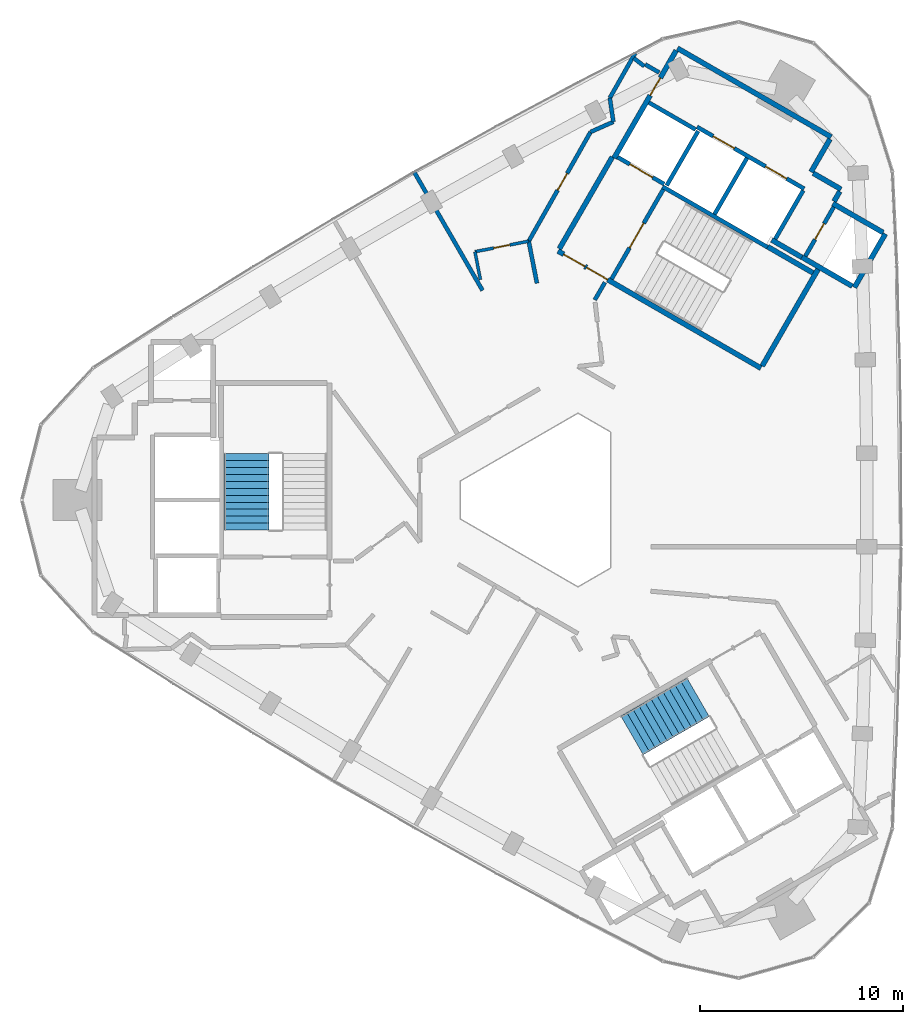
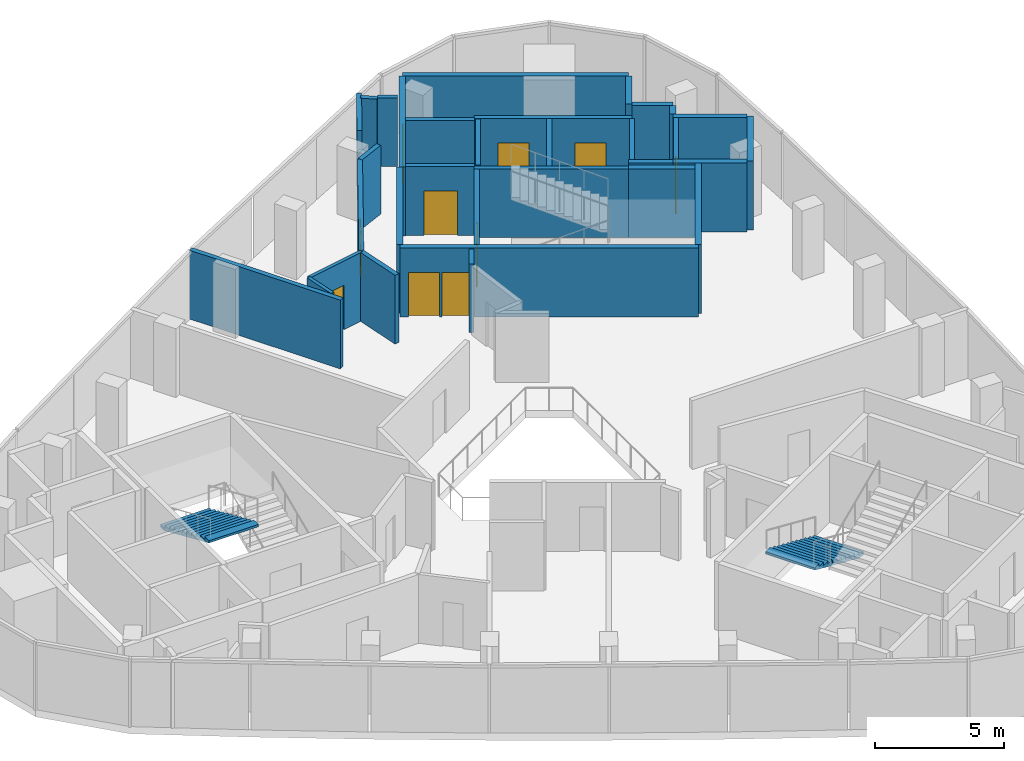
# One storey, part 8 of 10: 33 walls, 10 doors, 2 stair flights, 10 openings, 2 elements without a shape of their own.
"""IFC4 building model written with IfcOpenShell, lengths in metres."""

import ifcopenshell
import ifcopenshell.guid

model = None  # the IFC model being written
_history = None  # IfcOwnerHistory: only IFC2X3 demands one
_inside = {}  # id of a spatial element -> (the spatial element, [elements in it])
_under = {}  # id of a project, library or spatial element -> (it, [spatial elements below it])
_declared = {}  # id of a project -> (the project, [libraries it declares])
_typed = {}  # id of a type object -> (the type object, [elements of that type])
_made_of = {}  # id of a material, layer set ... -> (it, [elements and type objects made of it])


def new_model(schema):
    """Start an empty IFC model of exactly this schema.

    Asked for "IFC4X3", IfcOpenShell would pick the latest addendum, in which some entities
    have other attributes; the version numbers below select the first issue.
    IFC2X3 requires an IfcOwnerHistory on every rooted entity: one is made here for all.
    """
    global model, _history
    if schema == "IFC4X3":
        model = ifcopenshell.file(schema_version=(4, 3, 0, 0))
    else:
        model = ifcopenshell.file(schema=schema)
    _inside.clear()
    _under.clear()
    _declared.clear()
    _typed.clear()
    _made_of.clear()
    _history = None
    if model.schema == "IFC2X3":
        org = make("IfcOrganization", Name="unknown")
        user = make(
            "IfcPersonAndOrganization",
            ThePerson=make("IfcPerson", FamilyName="unknown"),
            TheOrganization=org,
        )
        app = make(
            "IfcApplication",
            ApplicationDeveloper=org,
            Version="unknown",
            ApplicationFullName="unknown",
            ApplicationIdentifier="unknown",
        )
        _history = make(
            "IfcOwnerHistory",
            OwningUser=user,
            OwningApplication=app,
            ChangeAction="ADDED",
            CreationDate=0,
        )
    return model


def make(cls, **values):
    """One entity of the class cls with the attributes given. An attribute that is None is left unset."""
    return model.create_entity(
        cls, **{name: value for name, value in values.items() if value is not None}
    )


def rooted(cls, **values):
    """An entity with a GlobalId (a new one), such as an element, a storey or a relation."""
    return make(cls, GlobalId=ifcopenshell.guid.new(), OwnerHistory=_history, **values)


def si_unit(unit_type, name, prefix=None):
    """IfcSIUnit, for example si_unit("LENGTHUNIT", "METRE", prefix="MILLI")."""
    return make("IfcSIUnit", UnitType=unit_type, Prefix=prefix, Name=name)


def assignment(units):
    """IfcUnitAssignment: the units of a project."""
    return None if units is None else make("IfcUnitAssignment", Units=units)


def point(xyz):
    """IfcCartesianPoint."""
    return None if xyz is None else make("IfcCartesianPoint", Coordinates=xyz)


def direction(xyz):
    """IfcDirection."""
    return None if xyz is None else make("IfcDirection", DirectionRatios=xyz)


def frame(location, z_axis=None, x_axis=None):
    """IfcAxis2Placement3D, a coordinate frame: its origin and axes. An axis left out is left unset."""
    return make(
        "IfcAxis2Placement3D",
        Location=point(location),
        Axis=direction(z_axis),
        RefDirection=direction(x_axis),
    )


def frame_2d(location, x_axis=None):
    """IfcAxis2Placement2D, a coordinate frame in the plane: its origin and x axis."""
    return make(
        "IfcAxis2Placement2D", Location=point(location), RefDirection=direction(x_axis)
    )


def origin():
    """The frame at (0, 0, 0) with its axes left unset."""
    return frame((0.0, 0.0, 0.0))


def place(relative_to, where):
    """IfcLocalPlacement: puts the frame where relative to a parent placement (None: the world)."""
    return make(
        "IfcLocalPlacement", PlacementRelTo=relative_to, RelativePlacement=where
    )


def context(
    kind, dimensions, precision=None, world=None, true_north=None, identifier=None
):
    """IfcGeometricRepresentationContext, for example the 3D "Model" context."""
    return make(
        "IfcGeometricRepresentationContext",
        ContextIdentifier=identifier,
        ContextType=kind,
        CoordinateSpaceDimension=dimensions,
        Precision=precision,
        WorldCoordinateSystem=world,
        TrueNorth=true_north,
    )


def subcontext(parent, identifier, kind, view, scale=None):
    """IfcGeometricRepresentationSubContext, for example "Body" below "Model"."""
    return make(
        "IfcGeometricRepresentationSubContext",
        ContextIdentifier=identifier,
        ContextType=kind,
        ParentContext=parent,
        TargetScale=scale,
        TargetView=view,
    )


def project(units=None, contexts=None):
    """IfcProject with its units and contexts."""
    return rooted(
        "IfcProject",
        Name="project",
        RepresentationContexts=contexts,
        UnitsInContext=assignment(units),
    )


def spatial(cls, under=None, at=None, **own):
    """A site, building, storey or space (cls), placed at a placement, below another one or the project."""
    s = rooted(cls, ObjectPlacement=at, **own)
    if under is not None:
        _under.setdefault(under.id(), (under, []))[1].append(s)
    return s


def polyline(points):
    """IfcPolyline through the points."""
    return make("IfcPolyline", Points=[point(p) for p in points])


def profile(cls, at=None, kind="AREA", **sizes):
    """A parametric profile (cls). Its sizes go by their IFC names, for example OverallWidth=200.0."""
    return make(cls, ProfileType=kind, Position=at, **sizes)


def rectangle(**sizes):
    """IfcRectangleProfileDef."""
    return profile("IfcRectangleProfileDef", **sizes)


def outline(outer, holes=None, kind="AREA"):
    """IfcArbitraryClosedProfileDef: a profile drawn as a closed curve; with holes, ...WithVoids."""
    if holes is None:
        return make("IfcArbitraryClosedProfileDef", ProfileType=kind, OuterCurve=outer)
    return make(
        "IfcArbitraryProfileDefWithVoids",
        ProfileType=kind,
        OuterCurve=outer,
        InnerCurves=holes,
    )


def extrude(swept, where, along, depth):
    """IfcExtrudedAreaSolid: the profile swept, set in the frame where, extruded along a direction by depth."""
    return make(
        "IfcExtrudedAreaSolid",
        SweptArea=swept,
        Position=where,
        ExtrudedDirection=direction(along),
        Depth=depth,
    )


def shape(context_of_items, identifier, shape_type, items):
    """IfcShapeRepresentation: the items that make up one representation, for example the "Body"."""
    return make(
        "IfcShapeRepresentation",
        ContextOfItems=context_of_items,
        RepresentationIdentifier=identifier,
        RepresentationType=shape_type,
        Items=items,
    )


def material(Name=None, Category=None):
    """IfcMaterial."""
    return make("IfcMaterial", Name=Name, Category=Category)


def layer(
    of_material, thickness, ventilated=None, Name=None, Category=None, Priority=None
):
    """IfcMaterialLayer: one layer of a wall or slab, of a material (None: an air gap)."""
    return make(
        "IfcMaterialLayer",
        Material=of_material,
        LayerThickness=thickness,
        IsVentilated=ventilated,
        Name=Name,
        Category=Category,
        Priority=Priority,
    )


def layer_set(layers, Name=None):
    """IfcMaterialLayerSet."""
    return make("IfcMaterialLayerSet", MaterialLayers=layers, LayerSetName=Name)


def made_of(thing, what):
    """Note that an element or type object is made of a material, layer set ...; save() writes the relation."""
    if what is not None:
        _made_of.setdefault(what.id(), (what, []))[1].append(thing)
    return thing


def type_object(cls, material=None, **own):
    """A type object (cls), such as IfcWallType, which elements share."""
    return made_of(rooted(cls, **own), material)


def element(
    cls,
    number,
    at=None,
    inside=None,
    cuts=None,
    type_object=None,
    material=None,
    context=None,
    identifier="Body",
    shape_type=None,
    held_by="IfcProductDefinitionShape",
    body=None,
    shapes=None,
    **own,
):
    """One element of the class cls, such as IfcWall. Its Tag is "e" and its number.

    at: its placement. inside: the storey or other place that contains it. cuts: it is an
    opening in that element (IfcRelVoidsElement). A single representation is given by context,
    identifier, shape_type and body (its items); several are given by shapes. held_by: the class
    of the entity that holds the representations. save() writes the other relations.
    """
    e = rooted(cls, Tag="e%d" % number, ObjectPlacement=at, **own)
    if body is not None:
        shapes = [shape(context, identifier, shape_type, body)]
    if shapes is not None:
        e.Representation = make(held_by, Representations=shapes)
    if inside is not None:
        _inside.setdefault(inside.id(), (inside, []))[1].append(e)
    if cuts is not None:
        rooted(
            "IfcRelVoidsElement", RelatingBuildingElement=cuts, RelatedOpeningElement=e
        )
    if type_object is not None:
        _typed.setdefault(type_object.id(), (type_object, []))[1].append(e)
    return made_of(e, material)


def fill(opening, filler):
    """IfcRelFillsElement: the door or window that sits in an opening."""
    return rooted(
        "IfcRelFillsElement",
        RelatingOpeningElement=opening,
        RelatedBuildingElement=filler,
    )


def aggregate(whole, parts):
    """IfcRelAggregates: a whole, such as a stair, and the parts it consists of."""
    return rooted("IfcRelAggregates", RelatingObject=whole, RelatedObjects=parts)


def save(model, path):
    """Write the relations noted so far, then the file.

    IfcRelAggregates (storeys below a building ...), IfcRelContainedInSpatialStructure (elements
    in a storey), IfcRelDefinesByType, IfcRelAssociatesMaterial and IfcRelDeclares: one each for
    every whole, place, type object, material and project.
    """
    for whole, parts in _under.values():
        aggregate(whole, parts)
    for where, things in _inside.values():
        rooted(
            "IfcRelContainedInSpatialStructure",
            RelatedElements=things,
            RelatingStructure=where,
        )
    for kind, things in _typed.values():
        rooted("IfcRelDefinesByType", RelatedObjects=things, RelatingType=kind)
    for what, things in _made_of.values():
        rooted("IfcRelAssociatesMaterial", RelatedObjects=things, RelatingMaterial=what)
    for by, libraries in _declared.values():
        rooted("IfcRelDeclares", RelatingContext=by, RelatedDefinitions=libraries)
    model.write(path)


model = new_model("IFC4")

# Units and contexts
model_context = context("Model", 3, precision=1e-05, world=origin(), true_north=direction((0.0, 1.0)))
body_context = subcontext(model_context, "Body", "Model", "MODEL_VIEW")
ifc_project = project(units=[si_unit("LENGTHUNIT", "METRE"), si_unit("AREAUNIT", "SQUARE_METRE"), si_unit("VOLUMEUNIT", "CUBIC_METRE"), si_unit("PLANEANGLEUNIT", "RADIAN"), si_unit("MASSUNIT", "GRAM", prefix="KILO")], contexts=[model_context])

# Site, building, storey
site_placement = place(None, origin())
site = spatial("IfcSite", under=ifc_project, at=site_placement, CompositionType="ELEMENT")
building_placement = place(site_placement, origin())
building = spatial("IfcBuilding", under=site, at=building_placement, Name="Tamra Quay Hotel Tower", CompositionType="ELEMENT")
storey_placement = place(building_placement, frame((0.0, 0.0, 294.60009765625)))
storey = spatial("IfcBuildingStorey", under=building, at=storey_placement, Name="L74", CompositionType="ELEMENT", Elevation=294.60009765625)

# Wall, openings, doors
ifc_material_1 = material(Name="Concrete M70", Category="concrete")
ifc_layer_1 = layer(ifc_material_1, 0.199951171875)
ifc_layer_set_1 = layer_set([ifc_layer_1], Name="Concrete M70 core wall 200")
wall_type_1 = type_object("IfcWallType", Name="Concrete M70 core wall 200", PredefinedType="SHEAR", material=ifc_layer_set_1)
wall_1_placement = place(storey_placement, frame((12.552490234375, 15.341552734375, 0.0), z_axis=(0.0, 0.0, 1.0), x_axis=(-0.866030299012, 0.499991521122, 0.0)))
wall_1 = element("IfcWall", 1, at=wall_1_placement, inside=storey, type_object=wall_type_1, Name="CW2", PredefinedType="SHEAR", context=body_context, shape_type="SweptSolid", body=[
    extrude(rectangle(XDim=6.10009765625, YDim=0.199951171875, at=frame_2d((3.050048828125, 0.0))), origin(), (0.0, 0.0, 1.0), 3.25),
])
opening_1_placement = place(wall_1_placement, frame((1.0, 0.0, 0.0)))
opening_1 = element("IfcOpeningElement", 2, at=opening_1_placement, cuts=wall_1, Name="Opening LD", PredefinedType="OPENING", context=body_context, shape_type="SweptSolid", body=[
    extrude(rectangle(XDim=1.199951171875, YDim=2.10009765625, at=frame_2d((0.60009765625, 1.050048828125))), frame((0.0, 0.10986328125, 0.0), z_axis=(0.0, -1.0, 0.0), x_axis=(1.0, 0.0, 0.0)), (0.0, 0.0, 1.0), 0.219970703125),
])
opening_2_placement = place(wall_1_placement, frame((3.982177734375, 0.0, 0.0)))
opening_2 = element("IfcOpeningElement", 3, at=opening_2_placement, cuts=wall_1, Name="Opening LD", PredefinedType="OPENING", context=body_context, shape_type="SweptSolid", body=[
    extrude(rectangle(XDim=1.199951171875, YDim=2.10009765625, at=frame_2d((0.60009765625, 1.050048828125))), frame((0.0, 0.10986328125, 0.0), z_axis=(0.0, -1.0, 0.0), x_axis=(1.0, 0.0, 0.0)), (0.0, 0.0, 1.0), 0.219970703125),
])
ifc_material_2 = material(Name="Landing door LD 1200 double door sliding")
door_type_1 = type_object("IfcDoorType", Name="Landing door LD 1200 double door sliding", OperationType="DOUBLE_DOOR_SLIDING", PredefinedType="DOOR", material=ifc_material_2)
door_1_placement = place(opening_1_placement, origin())
door_1 = element("IfcDoor", 4, at=door_1_placement, inside=storey, type_object=door_type_1, Name="LD", OperationType="DOUBLE_DOOR_SLIDING", OverallHeight=2.10009765625, OverallWidth=1.199951171875, PredefinedType="DOOR", context=body_context, shape_type="SweptSolid", body=[
    extrude(rectangle(XDim=1.199951171875, YDim=2.10009765625, at=frame_2d((0.60009765625, 1.050048828125))), frame((0.0, 0.02490234375, 0.0), z_axis=(0.0, -1.0, 0.0), x_axis=(1.0, 0.0, 0.0)), (0.0, 0.0, 1.0), 0.050048828125),
])
fill(opening_1, door_1)
door_2_placement = place(opening_2_placement, origin())
door_2 = element("IfcDoor", 5, at=door_2_placement, inside=storey, type_object=door_type_1, Name="LD", OperationType="DOUBLE_DOOR_SLIDING", OverallHeight=2.10009765625, OverallWidth=1.199951171875, PredefinedType="DOOR", context=body_context, shape_type="SweptSolid", body=[
    extrude(rectangle(XDim=1.199951171875, YDim=2.10009765625, at=frame_2d((0.60009765625, 1.050048828125))), frame((0.0, 0.02490234375, 0.0), z_axis=(0.0, -1.0, 0.0), x_axis=(1.0, 0.0, 0.0)), (0.0, 0.0, 1.0), 0.050048828125),
])
fill(opening_2, door_2)

# Wall
wall_2_placement = place(storey_placement, frame((10.7431640625, 12.4599609375, 0.0), z_axis=(0.0, 0.0, 1.0), x_axis=(-0.866018848283, 0.500011354289, 0.0)))
element("IfcWall", 6, at=wall_2_placement, inside=storey, type_object=wall_type_1, Name="CW2", PredefinedType="SHEAR", context=body_context, shape_type="SweptSolid", body=[
    extrude(rectangle(XDim=5.973876953125, YDim=0.199951171875, at=frame_2d((2.98681640625, 0.0))), origin(), (0.0, 0.0, 1.0), 3.25),
])

# Wall, opening, door
wall_3_placement = place(storey_placement, frame((3.056640625, 10.89453125, 0.0), z_axis=(0.0, 0.0, 1.0), x_axis=(0.500027839223, 0.866009330205, 0.0)))
wall_3 = element("IfcWall", 7, at=wall_3_placement, inside=storey, type_object=wall_type_1, Name="CW2", PredefinedType="SHEAR", context=body_context, shape_type="SweptSolid", body=[
    extrude(rectangle(XDim=5.097900390625, YDim=0.199951171875, at=frame_2d((2.548828125, 0.0))), origin(), (0.0, 0.0, 1.0), 3.25),
])
opening_3_placement = place(wall_3_placement, frame((1.77392578125, 0.0, 0.0)))
opening_3 = element("IfcOpeningElement", 8, at=opening_3_placement, cuts=wall_3, Name="Opening FD2", PredefinedType="OPENING", context=body_context, shape_type="SweptSolid", body=[
    extrude(rectangle(XDim=1.39990234375, YDim=2.10009765625, at=frame_2d((0.699951171875, 1.050048828125))), frame((0.0, 0.10986328125, 0.0), z_axis=(0.0, -1.0, 0.0), x_axis=(1.0, 0.0, 0.0)), (0.0, 0.0, 1.0), 0.219970703125),
])
ifc_material_3 = material(Name="Core door FD2 1400x2100 RH")
door_type_2 = type_object("IfcDoorType", Name="Core door FD2 1400x2100 RH", OperationType="NOTDEFINED", PredefinedType="DOOR", material=ifc_material_3)
door_3_placement = place(opening_3_placement, origin())
door_3 = element("IfcDoor", 9, at=door_3_placement, inside=storey, type_object=door_type_2, Name="FD2", OperationType="SINGLE_SWING_RIGHT", OverallHeight=2.10009765625, OverallWidth=1.39990234375, PredefinedType="DOOR", context=body_context, shape_type="SweptSolid", body=[
    extrude(rectangle(XDim=1.39990234375, YDim=2.10009765625, at=frame_2d((0.699951171875, 1.050048828125))), frame((0.0, 0.02490234375, 0.0), z_axis=(0.0, -1.0, 0.0), x_axis=(1.0, 0.0, 0.0)), (0.0, 0.0, 1.0), 0.050048828125),
])
fill(opening_3, door_3)

# Wall
wall_4_placement = place(storey_placement, frame((8.131591796875, 14.08447265625, 0.0), z_axis=(0.0, 0.0, 1.0), x_axis=(0.500030834389, 0.86600760081, 0.0)))
element("IfcWall", 10, at=wall_4_placement, inside=storey, type_object=wall_type_1, Name="CW2", PredefinedType="SHEAR", context=body_context, shape_type="SweptSolid", body=[
    extrude(rectangle(XDim=3.197998046875, YDim=0.199951171875, at=frame_2d((1.59912109375, 0.0))), origin(), (0.0, 0.0, 1.0), 3.25),
])

# Wall, opening, door
wall_5_placement = place(storey_placement, frame((14.0078125, 14.442138671875, 0.0), z_axis=(0.0, 0.0, 1.0), x_axis=(-0.499986818241, -0.866033014143, 0.0)))
wall_5 = element("IfcWall", 11, at=wall_5_placement, inside=storey, type_object=wall_type_1, Name="CW2", PredefinedType="SHEAR", context=body_context, shape_type="SweptSolid", body=[
    extrude(rectangle(XDim=2.7978515625, YDim=0.199951171875, at=frame_2d((1.39892578125, 0.0))), origin(), (0.0, 0.0, 1.0), 3.25),
])
opening_4_placement = place(wall_5_placement, frame((0.948974609375, 0.0, 0.0)))
opening_4 = element("IfcOpeningElement", 12, at=opening_4_placement, cuts=wall_5, Name="Opening D1", PredefinedType="OPENING", context=body_context, shape_type="SweptSolid", body=[
    extrude(rectangle(XDim=0.89990234375, YDim=2.10009765625, at=frame_2d((0.449951171875, 1.050048828125))), frame((0.0, 0.10986328125, 0.0), z_axis=(0.0, -1.0, 0.0), x_axis=(1.0, 0.0, 0.0)), (0.0, 0.0, 1.0), 0.219970703125),
])
ifc_material_4 = material(Name="Core door D1 900x2100 LH")
door_type_3 = type_object("IfcDoorType", Name="Core door D1 900x2100 LH", OperationType="NOTDEFINED", PredefinedType="DOOR", material=ifc_material_4)
door_4_placement = place(opening_4_placement, origin())
door_4 = element("IfcDoor", 13, at=door_4_placement, inside=storey, type_object=door_type_3, Name="D1", OperationType="SINGLE_SWING_LEFT", OverallHeight=2.10009765625, OverallWidth=0.89990234375, PredefinedType="DOOR", context=body_context, shape_type="SweptSolid", body=[
    extrude(rectangle(XDim=0.89990234375, YDim=2.10009765625, at=frame_2d((0.449951171875, 1.050048828125))), frame((0.0, 0.02490234375, 0.0), z_axis=(0.0, -1.0, 0.0), x_axis=(1.0, 0.0, 0.0)), (0.0, 0.0, 1.0), 0.050048828125),
])
fill(opening_4, door_4)

# Walls
wall_6_placement = place(storey_placement, frame((12.50244140625, 15.2548828125, 0.0), z_axis=(0.0, 0.0, 1.0), x_axis=(-0.499965018551, -0.866045599391, 0.0)))
element("IfcWall", 14, at=wall_6_placement, inside=storey, type_object=wall_type_1, Name="CW2", PredefinedType="SHEAR", context=body_context, shape_type="SweptSolid", body=[
    extrude(rectangle(XDim=2.759033203125, YDim=0.199951171875, at=frame_2d((1.37939453125, 0.0))), origin(), (0.0, 0.0, 1.0), 3.25),
])
wall_7_placement = place(storey_placement, frame((7.324462890625, 18.1865234375, 0.0), z_axis=(0.0, 0.0, 1.0), x_axis=(-0.499967891604, -0.866043940782, 0.0)))
element("IfcWall", 15, at=wall_7_placement, inside=storey, type_object=wall_type_1, Name="CW2", PredefinedType="SHEAR", context=body_context, shape_type="SweptSolid", body=[
    extrude(rectangle(XDim=3.099853515625, YDim=0.199951171875, at=frame_2d((1.5498046875, 0.0))), origin(), (0.0, 0.0, 1.0), 3.25),
])

# Wall, opening, door
wall_8_placement = place(storey_placement, frame((5.646240234375, 15.575927734375, 0.0), z_axis=(0.0, 0.0, 1.0), x_axis=(-0.866018407898, 0.500012117035, 0.0)))
wall_8 = element("IfcWall", 16, at=wall_8_placement, inside=storey, type_object=wall_type_1, Name="CW2", PredefinedType="SHEAR", context=body_context, shape_type="SweptSolid", body=[
    extrude(rectangle(XDim=2.65087890625, YDim=0.199951171875, at=frame_2d((1.325439453125, 0.0))), origin(), (0.0, 0.0, 1.0), 3.25),
])
opening_5_placement = place(wall_8_placement, frame((0.65185546875, 0.0, 0.0)))
opening_5 = element("IfcOpeningElement", 17, at=opening_5_placement, cuts=wall_8, Name="Opening LD", PredefinedType="OPENING", context=body_context, shape_type="SweptSolid", body=[
    extrude(rectangle(XDim=1.300048828125, YDim=2.10009765625, at=frame_2d((0.64990234375, 1.050048828125))), frame((0.0, 0.10986328125, 0.0), z_axis=(0.0, -1.0, 0.0), x_axis=(1.0, 0.0, 0.0)), (0.0, 0.0, 1.0), 0.219970703125),
])
ifc_material_5 = material(Name="Landing door LD 1300 sliding to right")
door_type_4 = type_object("IfcDoorType", Name="Landing door LD 1300 sliding to right", OperationType="NOTDEFINED", PredefinedType="DOOR", material=ifc_material_5)
door_5_placement = place(opening_5_placement, origin())
door_5 = element("IfcDoor", 18, at=door_5_placement, inside=storey, type_object=door_type_4, Name="LD", OperationType="SLIDING_TO_RIGHT", OverallHeight=2.10009765625, OverallWidth=1.300048828125, PredefinedType="DOOR", context=body_context, shape_type="SweptSolid", body=[
    extrude(rectangle(XDim=1.300048828125, YDim=2.10009765625, at=frame_2d((0.64990234375, 1.050048828125))), frame((0.0, 0.02490234375, 0.0), z_axis=(0.0, -1.0, 0.0), x_axis=(1.0, 0.0, 0.0)), (0.0, 0.0, 1.0), 0.050048828125),
])
fill(opening_5, door_5)

# Wall
wall_9_placement = place(storey_placement, frame((7.1962890625, 18.260498046875, 0.0), z_axis=(0.0, 0.0, 1.0), x_axis=(-0.866018407898, 0.500012117035, 0.0)))
element("IfcWall", 19, at=wall_9_placement, inside=storey, type_object=wall_type_1, Name="CW2", PredefinedType="SHEAR", context=body_context, shape_type="SweptSolid", body=[
    extrude(rectangle(XDim=2.65087890625, YDim=0.199951171875, at=frame_2d((1.325439453125, 0.0))), origin(), (0.0, 0.0, 1.0), 3.25),
])

# Wall, openings, doors
ifc_layer_2 = layer(ifc_material_1, 0.25)
ifc_layer_set_2 = layer_set([ifc_layer_2], Name="Concrete M70 core wall 250")
wall_type_2 = type_object("IfcWallType", Name="Concrete M70 core wall 250", PredefinedType="SHEAR", material=ifc_layer_set_2)
wall_10_placement = place(storey_placement, frame((10.419921875, 6.497802734375, 0.0), z_axis=(0.0, 0.0, 1.0), x_axis=(-0.866021906294, 0.500006057782, 0.0)))
wall_10 = element("IfcWall", 20, at=wall_10_placement, inside=storey, type_object=wall_type_2, Name="CW1", PredefinedType="SHEAR", context=body_context, shape_type="SweptSolid", body=[
    extrude(rectangle(XDim=11.550048828125, YDim=0.25, at=frame_2d((5.77490234375, 0.0))), origin(), (0.0, 0.0, 1.0), 3.25),
])
opening_6_placement = place(wall_10_placement, frame((10.02490234375, 0.0, 0.0)))
opening_6 = element("IfcOpeningElement", 21, at=opening_6_placement, cuts=wall_10, Name="Opening FD1", PredefinedType="OPENING", context=body_context, shape_type="SweptSolid", body=[
    extrude(rectangle(XDim=1.199951171875, YDim=2.10009765625, at=frame_2d((0.60009765625, 1.050048828125))), frame((0.0, 0.135009765625, 0.0), z_axis=(0.0, -1.0, 0.0), x_axis=(1.0, 0.0, 0.0)), (0.0, 0.0, 1.0), 0.27001953125),
])
opening_7_placement = place(wall_10_placement, frame((8.724853515625, 0.0, 0.0)))
opening_7 = element("IfcOpeningElement", 22, at=opening_7_placement, cuts=wall_10, Name="Opening FD1", PredefinedType="OPENING", context=body_context, shape_type="SweptSolid", body=[
    extrude(rectangle(XDim=1.199951171875, YDim=2.10009765625, at=frame_2d((0.60009765625, 1.050048828125))), frame((0.0, 0.135009765625, 0.0), z_axis=(0.0, -1.0, 0.0), x_axis=(1.0, 0.0, 0.0)), (0.0, 0.0, 1.0), 0.27001953125),
])
ifc_material_6 = material(Name="Core door FD1 1200x2100 LH")
door_type_5 = type_object("IfcDoorType", Name="Core door FD1 1200x2100 LH", OperationType="NOTDEFINED", PredefinedType="DOOR", material=ifc_material_6)
door_6_placement = place(opening_6_placement, origin())
door_6 = element("IfcDoor", 23, at=door_6_placement, inside=storey, type_object=door_type_5, Name="FD1", OperationType="SINGLE_SWING_LEFT", OverallHeight=2.10009765625, OverallWidth=1.199951171875, PredefinedType="DOOR", context=body_context, shape_type="SweptSolid", body=[
    extrude(rectangle(XDim=1.199951171875, YDim=2.10009765625, at=frame_2d((0.60009765625, 1.050048828125))), frame((0.0, 0.02490234375, 0.0), z_axis=(0.0, -1.0, 0.0), x_axis=(1.0, 0.0, 0.0)), (0.0, 0.0, 1.0), 0.050048828125),
])
fill(opening_6, door_6)
ifc_material_7 = material(Name="Core door FD1 1200x2100 RH")
door_type_6 = type_object("IfcDoorType", Name="Core door FD1 1200x2100 RH", OperationType="NOTDEFINED", PredefinedType="DOOR", material=ifc_material_7)
door_7_placement = place(opening_7_placement, origin())
door_7 = element("IfcDoor", 24, at=door_7_placement, inside=storey, type_object=door_type_6, Name="FD1", OperationType="SINGLE_SWING_RIGHT", OverallHeight=2.10009765625, OverallWidth=1.199951171875, PredefinedType="DOOR", context=body_context, shape_type="SweptSolid", body=[
    extrude(rectangle(XDim=1.199951171875, YDim=2.10009765625, at=frame_2d((0.60009765625, 1.050048828125))), frame((0.0, 0.02490234375, 0.0), z_axis=(0.0, -1.0, 0.0), x_axis=(1.0, 0.0, 0.0)), (0.0, 0.0, 1.0), 0.050048828125),
])
fill(opening_7, door_7)

# Wall
wall_11_placement = place(storey_placement, frame((6.303955078125, 22.268798828125, 0.0), z_axis=(0.0, 0.0, 1.0), x_axis=(0.866022959057, -0.500004234368, 0.0)))
element("IfcWall", 25, at=wall_11_placement, inside=storey, type_object=wall_type_2, Name="CW1", PredefinedType="SHEAR", context=body_context, shape_type="SweptSolid", body=[
    extrude(rectangle(XDim=8.75, YDim=0.25, at=frame_2d((4.375, 0.0))), origin(), (0.0, 0.0, 1.0), 3.25),
])

# Wall, opening, door
wall_12_placement = place(storey_placement, frame((3.178955078125, 16.856201171875, 0.0), z_axis=(0.0, 0.0, 1.0), x_axis=(0.500001955336, 0.866024274868, 0.0)))
wall_12 = element("IfcWall", 26, at=wall_12_placement, inside=storey, type_object=wall_type_2, Name="CW1", PredefinedType="SHEAR", context=body_context, shape_type="SweptSolid", body=[
    extrude(rectangle(XDim=6.12451171875, YDim=0.25, at=frame_2d((3.062255859375, 0.0))), origin(), (0.0, 0.0, 1.0), 3.25),
])
opening_8_placement = place(wall_12_placement, frame((3.562744140625, 0.0, 0.0)))
opening_8 = element("IfcOpeningElement", 27, at=opening_8_placement, cuts=wall_12, Name="Opening FD3", PredefinedType="OPENING", context=body_context, shape_type="SweptSolid", body=[
    extrude(rectangle(XDim=1.0, YDim=2.10009765625, at=frame_2d((0.5, 1.050048828125))), frame((0.0, 0.135009765625, 0.0), z_axis=(0.0, -1.0, 0.0), x_axis=(1.0, 0.0, 0.0)), (0.0, 0.0, 1.0), 0.27001953125),
])
ifc_material_8 = material(Name="Core door FD3 1000x2100 LH")
door_type_7 = type_object("IfcDoorType", Name="Core door FD3 1000x2100 LH", OperationType="NOTDEFINED", PredefinedType="DOOR", material=ifc_material_8)
door_8_placement = place(opening_8_placement, origin())
door_8 = element("IfcDoor", 28, at=door_8_placement, inside=storey, type_object=door_type_7, Name="FD3", OperationType="SINGLE_SWING_LEFT", OverallHeight=2.10009765625, OverallWidth=1.0, PredefinedType="DOOR", context=body_context, shape_type="SweptSolid", body=[
    extrude(rectangle(XDim=1.0, YDim=2.10009765625, at=frame_2d((0.5, 1.050048828125))), frame((0.0, 0.02490234375, 0.0), z_axis=(0.0, -1.0, 0.0), x_axis=(1.0, 0.0, 0.0)), (0.0, 0.0, 1.0), 0.050048828125),
])
fill(opening_8, door_8)

# Walls
wall_13_placement = place(storey_placement, frame((0.47998046875, 12.38134765625, 0.0), z_axis=(0.0, 0.0, 1.0), x_axis=(0.49999885962, 0.866026062182, 0.0)))
element("IfcWall", 29, at=wall_13_placement, inside=storey, type_object=wall_type_2, Name="CW1", PredefinedType="SHEAR", context=body_context, shape_type="SweptSolid", body=[
    extrude(rectangle(XDim=5.224609375, YDim=0.25, at=frame_2d((2.6123046875, 0.0))), origin(), (0.0, 0.0, 1.0), 3.25),
])
wall_14_placement = place(storey_placement, frame((13.237548828125, 11.3779296875, 0.0), z_axis=(0.0, 0.0, 1.0), x_axis=(-0.500008851346, -0.866020293397, 0.0)))
element("IfcWall", 30, at=wall_14_placement, inside=storey, type_object=wall_type_2, Name="CW1", PredefinedType="SHEAR", context=body_context, shape_type="SweptSolid", body=[
    extrude(rectangle(XDim=5.509765625, YDim=0.25, at=frame_2d((2.7548828125, 0.0))), origin(), (0.0, 0.0, 1.0), 3.25),
])
wall_15_placement = place(storey_placement, frame((16.552001953125, 13.118896484375, 0.0), z_axis=(0.0, 0.0, 1.0), x_axis=(-0.499978833458, -0.866037623948, 0.0)))
element("IfcWall", 31, at=wall_15_placement, inside=storey, type_object=wall_type_2, Name="CW1", PredefinedType="SHEAR", context=body_context, shape_type="SweptSolid", body=[
    extrude(rectangle(XDim=3.050048828125, YDim=0.25, at=frame_2d((1.52490234375, 0.0))), origin(), (0.0, 0.0, 1.0), 3.25),
])
wall_16_placement = place(storey_placement, frame((14.91845703125, 10.540283203125, 0.0), z_axis=(0.0, 0.0, 1.0), x_axis=(-0.866063538972, 0.499933942099, 0.0)))
element("IfcWall", 32, at=wall_16_placement, inside=storey, type_object=wall_type_2, Name="CW1", PredefinedType="SHEAR", context=body_context, shape_type="SweptSolid", body=[
    extrude(rectangle(XDim=2.86474609375, YDim=0.25, at=frame_2d((1.432373046875, 0.0))), origin(), (0.0, 0.0, 1.0), 3.25),
])
wall_17_placement = place(storey_placement, frame((13.962646484375, 14.61376953125, 0.0), z_axis=(0.0, 0.0, 1.0), x_axis=(0.866042235819, -0.499970844928, 0.0)))
element("IfcWall", 33, at=wall_17_placement, inside=storey, type_object=wall_type_2, Name="CW1", PredefinedType="SHEAR", context=body_context, shape_type="SweptSolid", body=[
    extrude(rectangle(XDim=2.864501953125, YDim=0.25, at=frame_2d((1.43212890625, 0.0))), origin(), (0.0, 0.0, 1.0), 3.25),
])
wall_18_placement = place(storey_placement, frame((10.756591796875, 12.481201171875, 0.0), z_axis=(0.0, 0.0, 1.0), x_axis=(0.866022940537, -0.500004266446, 0.0)))
element("IfcWall", 34, at=wall_18_placement, inside=storey, type_object=wall_type_2, Name="CW1", PredefinedType="SHEAR", context=body_context, shape_type="SweptSolid", body=[
    extrude(rectangle(XDim=2.57470703125, YDim=0.25, at=frame_2d((1.287353515625, 0.0))), origin(), (0.0, 0.0, 1.0), 3.25),
])
wall_19_placement = place(storey_placement, frame((13.819091796875, 17.78515625, 0.0), z_axis=(0.0, 0.0, 1.0), x_axis=(-0.500039802285, -0.866002422705, 0.0)))
element("IfcWall", 35, at=wall_19_placement, inside=storey, type_object=wall_type_2, Name="CW1", PredefinedType="SHEAR", context=body_context, shape_type="SweptSolid", body=[
    extrude(rectangle(XDim=1.864501953125, YDim=0.25, at=frame_2d((0.93212890625, 0.0))), origin(), (0.0, 0.0, 1.0), 3.25),
])
wall_20_placement = place(storey_placement, frame((12.4326171875, 11.9638671875, 0.0), z_axis=(0.0, 0.0, 1.0), x_axis=(-0.866038183914, 0.499977863513, 0.0)))
element("IfcWall", 36, at=wall_20_placement, inside=storey, type_object=wall_type_2, Name="CW1", PredefinedType="SHEAR", context=body_context, shape_type="SweptSolid", body=[
    extrude(rectangle(XDim=1.7099609375, YDim=0.25, at=frame_2d((0.85498046875, 0.0))), origin(), (0.0, 0.0, 1.0), 3.25),
])
wall_21_placement = place(storey_placement, frame((12.995361328125, 16.107666015625, 0.0), z_axis=(0.0, 0.0, 1.0), x_axis=(0.866044474677, -0.49996696679, 0.0)))
element("IfcWall", 37, at=wall_21_placement, inside=storey, type_object=wall_type_2, Name="CW1", PredefinedType="SHEAR", context=body_context, shape_type="SweptSolid", body=[
    extrude(rectangle(XDim=1.58447265625, YDim=0.25, at=frame_2d((0.792236328125, 0.0))), origin(), (0.0, 0.0, 1.0), 3.25),
])
wall_22_placement = place(storey_placement, frame((14.304931640625, 15.206787109375, 0.0), z_axis=(0.0, 0.0, 1.0), x_axis=(-0.499848422343, -0.866112899501, 0.0)))
element("IfcWall", 38, at=wall_22_placement, inside=storey, type_object=wall_type_2, Name="CW1", PredefinedType="SHEAR", context=body_context, shape_type="SweptSolid", body=[
    extrude(rectangle(XDim=0.559326171875, YDim=0.25, at=frame_2d((0.27978515625, 0.0))), origin(), (0.0, 0.0, 1.0), 3.25),
])
ifc_material_9 = material(Name="Partition corridor wall")
ifc_layer_3 = layer(ifc_material_9, 0.199951171875)
ifc_layer_set_3 = layer_set([ifc_layer_3], Name="Partition corridor wall")
wall_type_3 = type_object("IfcWallType", Name="Partition corridor wall", PredefinedType="PARTITIONING", material=ifc_layer_set_3)
wall_23_placement = place(storey_placement, frame((-1.028076171875, 12.757080078125, 0.0), z_axis=(0.0, 0.0, 1.0), x_axis=(0.192202773855, -0.981355233197, 0.0)))
element("IfcWall", 39, at=wall_23_placement, inside=storey, type_object=wall_type_3, Name="W-C", PredefinedType="PARTITIONING", context=body_context, shape_type="SweptSolid", body=[
    extrude(rectangle(XDim=2.1123046875, YDim=0.199951171875, at=frame_2d((1.05615234375, 0.0))), origin(), (0.0, 0.0, 1.0), 3.25),
])

# Wall, opening, door
wall_24_placement = place(storey_placement, frame((-1.027099609375, 12.757080078125, 0.0), z_axis=(0.0, 0.0, 1.0), x_axis=(0.492663063759, 0.870220147783, 0.0)))
wall_24 = element("IfcWall", 40, at=wall_24_placement, inside=storey, type_object=wall_type_3, Name="W-C", PredefinedType="PARTITIONING", context=body_context, shape_type="SweptSolid", body=[
    extrude(rectangle(XDim=6.18701171875, YDim=0.199951171875, at=frame_2d((3.093505859375, 0.0))), origin(), (0.0, 0.0, 1.0), 3.25),
])
opening_9_placement = place(wall_24_placement, frame((2.886962890625, 0.0, 0.0)))
opening_9 = element("IfcOpeningElement", 41, at=opening_9_placement, cuts=wall_24, Name="Opening L74-D004", PredefinedType="OPENING", context=body_context, shape_type="SweptSolid", body=[
    extrude(rectangle(XDim=0.949951171875, YDim=2.10009765625, at=frame_2d((0.47509765625, 1.050048828125))), frame((0.0, 0.10986328125, 0.0), z_axis=(0.0, -1.0, 0.0), x_axis=(1.0, 0.0, 0.0)), (0.0, 0.0, 1.0), 0.219970703125),
])
ifc_material_10 = material(Name="Door guest room 950x2100")
door_type_8 = type_object("IfcDoorType", Name="Door guest room 950x2100", OperationType="NOTDEFINED", PredefinedType="DOOR", material=ifc_material_10)
door_9_placement = place(opening_9_placement, origin())
door_9 = element("IfcDoor", 42, at=door_9_placement, inside=storey, type_object=door_type_8, Name="L74-D004", OperationType="SINGLE_SWING_LEFT", OverallHeight=2.10009765625, OverallWidth=0.949951171875, PredefinedType="DOOR", context=body_context, shape_type="SweptSolid", body=[
    extrude(rectangle(XDim=0.949951171875, YDim=2.10009765625, at=frame_2d((0.47509765625, 1.050048828125))), frame((0.0, 0.02490234375, 0.0), z_axis=(0.0, -1.0, 0.0), x_axis=(1.0, 0.0, 0.0)), (0.0, 0.0, 1.0), 0.050048828125),
])
fill(opening_9, door_9)

# Walls
wall_25_placement = place(storey_placement, frame((2.02099609375, 18.14111328125, 0.0), z_axis=(0.0, 0.0, 1.0), x_axis=(0.914343087003, 0.404940389748, 0.0)))
element("IfcWall", 43, at=wall_25_placement, inside=storey, type_object=wall_type_3, Name="W-C", PredefinedType="PARTITIONING", context=body_context, shape_type="SweptSolid", body=[
    extrude(rectangle(XDim=1.229248046875, YDim=0.199951171875, at=frame_2d((0.61474609375, 0.0))), origin(), (0.0, 0.0, 1.0), 3.25),
])
wall_26_placement = place(storey_placement, frame((2.23095703125, 9.864013671875, 0.0), z_axis=(0.0, 0.0, 1.0), x_axis=(0.499942098031, 0.866058830921, 0.0)))
element("IfcWall", 44, at=wall_26_placement, inside=storey, type_object=wall_type_3, Name="W-C", PredefinedType="PARTITIONING", context=body_context, shape_type="SweptSolid", body=[
    extrude(rectangle(XDim=0.994140625, YDim=0.199951171875, at=frame_2d((0.4970703125, 0.0))), origin(), (0.0, 0.0, 1.0), 3.25),
])
wall_27_placement = place(storey_placement, frame((2.969970703125, 19.81689453125, 0.0), z_axis=(0.0, 0.0, 1.0), x_axis=(0.146986994932, -0.989138424752, 0.0)))
element("IfcWall", 45, at=wall_27_placement, inside=storey, type_object=wall_type_3, Name="W-C", PredefinedType="PARTITIONING", context=body_context, shape_type="SweptSolid", body=[
    extrude(rectangle(XDim=1.19091796875, YDim=0.199951171875, at=frame_2d((0.595458984375, 0.0))), origin(), (0.0, 0.0, 1.0), 2.349853515625),
])
wall_28_placement = place(storey_placement, frame((2.97021484375, 19.81787109375, 0.0), z_axis=(0.0, 0.0, 1.0), x_axis=(0.492727027301, 0.870183932607, 0.0)))
element("IfcWall", 46, at=wall_28_placement, inside=storey, type_object=wall_type_3, Name="W-C", PredefinedType="PARTITIONING", context=body_context, shape_type="SweptSolid", body=[
    extrude(rectangle(XDim=2.5458984375, YDim=0.199951171875, at=frame_2d((1.27294921875, 0.0))), origin(), (0.0, 0.0, 1.0), 3.25),
])
wall_29_placement = place(storey_placement, frame((4.14599609375, 21.781982421875, 0.0), z_axis=(0.0, 0.0, 1.0), x_axis=(0.793977493121, -0.607947152652, 0.0)))
element("IfcWall", 47, at=wall_29_placement, inside=storey, type_object=wall_type_3, Name="W-C", PredefinedType="PARTITIONING", context=body_context, shape_type="SweptSolid", body=[
    extrude(rectangle(XDim=0.65625, YDim=0.199951171875, at=frame_2d((0.328125, 0.0))), origin(), (0.0, 0.0, 1.0), 3.25),
])
wall_30_placement = place(storey_placement, frame((4.716064453125, 21.468017578125, 0.0), z_axis=(0.0, 0.0, 1.0), x_axis=(0.865912682783, -0.500195187698, 0.0)))
element("IfcWall", 48, at=wall_30_placement, inside=storey, type_object=wall_type_3, Name="W-C", PredefinedType="PARTITIONING", context=body_context, shape_type="SweptSolid", body=[
    extrude(rectangle(XDim=0.789794921875, YDim=0.199951171875, at=frame_2d((0.39501953125, 0.0))), origin(), (0.0, 0.0, 1.0), 3.25),
])
ifc_material_11 = material(Name="Partition en-suite wall")
ifc_layer_4 = layer(ifc_material_11, 0.14990234375)
ifc_layer_set_4 = layer_set([ifc_layer_4], Name="Partition en-suite wall")
wall_type_4 = type_object("IfcWallType", Name="Partition en-suite wall", PredefinedType="PARTITIONING", material=ifc_layer_set_4)
wall_31_placement = place(storey_placement, frame((-3.677978515625, 12.238037109375, 0.0), z_axis=(0.0, 0.0, 1.0), x_axis=(0.192270029527, -0.981342058482, 0.0)))
element("IfcWall", 49, at=wall_31_placement, inside=storey, type_object=wall_type_4, Name="W-E", PredefinedType="PARTITIONING", context=body_context, shape_type="SweptSolid", body=[
    extrude(rectangle(XDim=1.404296875, YDim=0.14990234375, at=frame_2d((0.7021484375, 0.0))), origin(), (0.0, 0.0, 1.0), 3.25),
])

# Wall, opening, door
wall_32_placement = place(storey_placement, frame((-3.677978515625, 12.238037109375, 0.0), z_axis=(0.0, 0.0, 1.0), x_axis=(0.98135189098, 0.192219837868, 0.0)))
wall_32 = element("IfcWall", 50, at=wall_32_placement, inside=storey, type_object=wall_type_4, Name="W-E", PredefinedType="PARTITIONING", context=body_context, shape_type="SweptSolid", body=[
    extrude(rectangle(XDim=2.7001953125, YDim=0.14990234375, at=frame_2d((1.35009765625, 0.0))), origin(), (0.0, 0.0, 1.0), 3.25),
])
opening_10_placement = place(wall_32_placement, frame((0.9501953125, 0.0, 0.0)))
opening_10 = element("IfcOpeningElement", 51, at=opening_10_placement, cuts=wall_32, Name="Opening L74-D005", PredefinedType="OPENING", context=body_context, shape_type="SweptSolid", body=[
    extrude(rectangle(XDim=0.800048828125, YDim=2.10009765625, at=frame_2d((0.39990234375, 1.050048828125))), frame((0.0, 0.0849609375, 0.0), z_axis=(0.0, -1.0, 0.0), x_axis=(1.0, 0.0, 0.0)), (0.0, 0.0, 1.0), 0.169921875),
])
ifc_material_12 = material(Name="Door en-suite 800x2100")
door_type_9 = type_object("IfcDoorType", Name="Door en-suite 800x2100", OperationType="NOTDEFINED", PredefinedType="DOOR", material=ifc_material_12)
door_10_placement = place(opening_10_placement, origin())
door_10 = element("IfcDoor", 52, at=door_10_placement, inside=storey, type_object=door_type_9, Name="L74-D005", OperationType="SINGLE_SWING_LEFT", OverallHeight=2.10009765625, OverallWidth=0.800048828125, PredefinedType="DOOR", context=body_context, shape_type="SweptSolid", body=[
    extrude(rectangle(XDim=0.800048828125, YDim=2.10009765625, at=frame_2d((0.39990234375, 1.050048828125))), frame((0.0, 0.02490234375, 0.0), z_axis=(0.0, -1.0, 0.0), x_axis=(1.0, 0.0, 0.0)), (0.0, 0.0, 1.0), 0.050048828125),
])
fill(opening_10, door_10)

# Wall
ifc_material_13 = material(Name="Partition party wall")
ifc_layer_5 = layer(ifc_material_13, 0.199951171875)
ifc_layer_set_5 = layer_set([ifc_layer_5], Name="Partition party wall")
wall_type_5 = type_object("IfcWallType", Name="Partition party wall", PredefinedType="PARTITIONING", material=ifc_layer_set_5)
wall_33_placement = place(storey_placement, frame((-6.669677734375, 16.1591796875, 0.0), z_axis=(0.0, 0.0, 1.0), x_axis=(0.50003223478, -0.866006792225, 0.0)))
element("IfcWall", 53, at=wall_33_placement, inside=storey, type_object=wall_type_5, Name="W-P", PredefinedType="PARTITIONING", context=body_context, shape_type="SweptSolid", body=[
    extrude(rectangle(XDim=6.73095703125, YDim=0.199951171875, at=frame_2d((3.365478515625, 0.0))), origin(), (0.0, 0.0, 1.0), 3.25),
])

# Stair, stair flight
ifc_material_14 = material(Name="Exit stair 2200 24 risers 150.0 going 342")
stair_type = type_object("IfcStairType", Name="Exit stair 2200 24 risers 150.0 going 342", PredefinedType="HALF_TURN_STAIR", material=ifc_material_14)
stair_1_placement = place(storey_placement, origin())
stair_1 = element("IfcStair", 54, at=stair_1_placement, inside=storey, type_object=stair_type, Name="L74 Exit stair ST3", PredefinedType="HALF_TURN_STAIR")
ifc_material_15 = material(Name="Exit stair flight 2200 12 risers 150.0")
stair_flight_type = type_object("IfcStairFlightType", Name="Exit stair flight 2200 12 risers 150.0", PredefinedType="STRAIGHT", material=ifc_material_15)
stair_flight_1_placement = place(storey_placement, frame((-14.94140625, 2.281982421875, 1.7998046875), z_axis=(0.0, 0.0, 1.0), x_axis=(0.0, -1.0, 0.0)))
stair_flight_1 = element("IfcStairFlight", 55, at=stair_flight_1_placement, type_object=stair_flight_type, Name="ST3 flight 2", NumberOfRisers=12, NumberOfTreads=11, PredefinedType="STRAIGHT", RiserHeight=0.15, TreadLength=0.342, context=body_context, shape_type="SweptSolid", body=[
    extrude(outline(polyline([(0.0, 0.0), (0.0, 0.14990234375), (0.342041015625, 0.14990234375), (0.342041015625, 0.300048828125), (0.68408203125, 0.300048828125), (0.68408203125, 0.449951171875), (1.02587890625, 0.449951171875), (1.02587890625, 0.60009765625), (1.367919921875, 0.60009765625), (1.367919921875, 0.75), (1.7099609375, 0.75), (1.7099609375, 0.89990234375), (2.052001953125, 0.89990234375), (2.052001953125, 1.050048828125), (2.39404296875, 1.050048828125), (2.39404296875, 1.199951171875), (2.736083984375, 1.199951171875), (2.736083984375, 1.35009765625), (3.077880859375, 1.35009765625), (3.077880859375, 1.5), (3.419921875, 1.5), (3.419921875, 1.64990234375), (3.761962890625, 1.64990234375), (3.761962890625, 1.800048828125), (3.761962890625, 1.540771484375), (0.249267578125, 0.0), (0.0, 0.0)])), frame((0.0, 1.10009765625, 0.0), z_axis=(0.0, -1.0, 0.0), x_axis=(1.0, 0.0, 0.0)), (0.0, 0.0, 1.0), 2.199951171875),
])
aggregate(stair_1, [stair_flight_1])

stair_2_placement = place(storey_placement, origin())
stair_2 = element("IfcStair", 56, at=stair_2_placement, inside=storey, type_object=stair_type, Name="L74 Exit stair ST2", PredefinedType="HALF_TURN_STAIR")
stair_flight_2_placement = place(storey_placement, frame((7.322998046875, -9.7236328125, 0.0), z_axis=(0.0, 0.0, 1.0), x_axis=(-0.866025403784, -0.5, 0.0)))
stair_flight_2 = element("IfcStairFlight", 57, at=stair_flight_2_placement, type_object=stair_flight_type, Name="ST2 flight 1", NumberOfRisers=12, NumberOfTreads=11, PredefinedType="STRAIGHT", RiserHeight=0.15, TreadLength=0.342, context=body_context, shape_type="SweptSolid", body=[
    extrude(outline(polyline([(0.0, 0.0), (0.0, 0.14990234375), (0.342041015625, 0.14990234375), (0.342041015625, 0.300048828125), (0.68408203125, 0.300048828125), (0.68408203125, 0.449951171875), (1.02587890625, 0.449951171875), (1.02587890625, 0.60009765625), (1.367919921875, 0.60009765625), (1.367919921875, 0.75), (1.7099609375, 0.75), (1.7099609375, 0.89990234375), (2.052001953125, 0.89990234375), (2.052001953125, 1.050048828125), (2.39404296875, 1.050048828125), (2.39404296875, 1.199951171875), (2.736083984375, 1.199951171875), (2.736083984375, 1.35009765625), (3.077880859375, 1.35009765625), (3.077880859375, 1.5), (3.419921875, 1.5), (3.419921875, 1.64990234375), (3.761962890625, 1.64990234375), (3.761962890625, 1.800048828125), (3.761962890625, 1.540771484375), (0.249267578125, 0.0), (0.0, 0.0)])), frame((0.0, 1.10009765625, 0.0), z_axis=(0.0, -1.0, 0.0), x_axis=(1.0, 0.0, 0.0)), (0.0, 0.0, 1.0), 2.199951171875),
])
aggregate(stair_2, [stair_flight_2])

save(model, "model.ifc")
